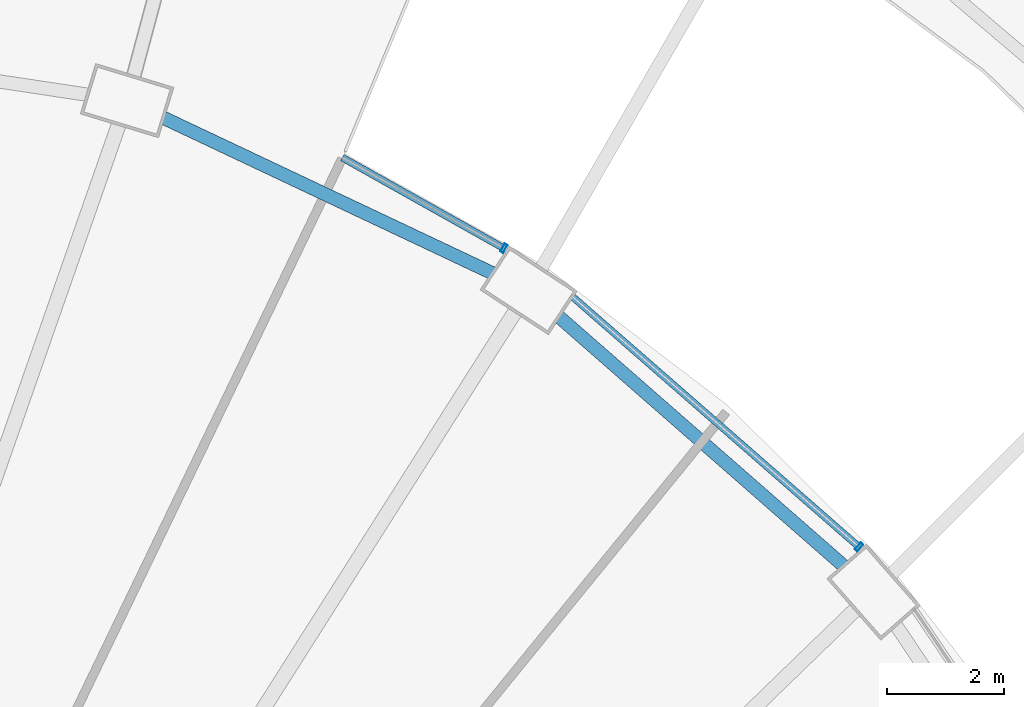
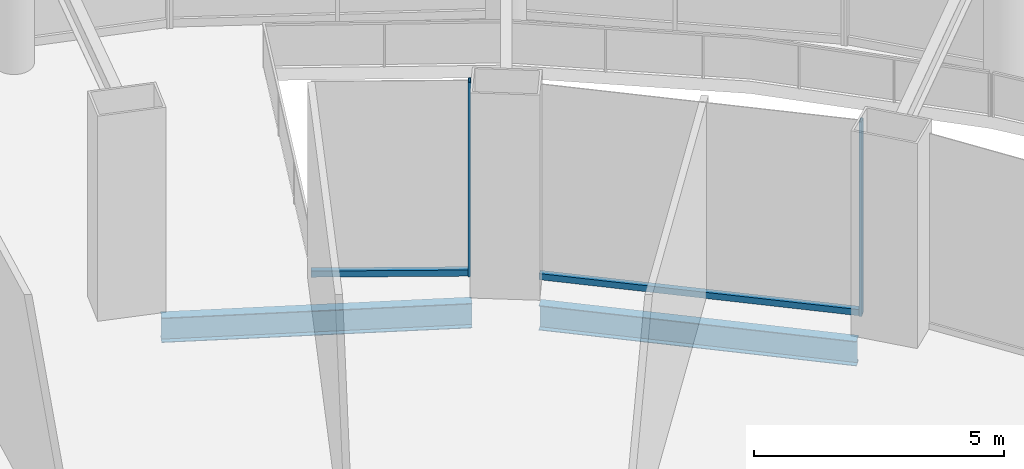
# One storey, part 37 of 52: 4 members, 2 beams, 2 elements without a shape of their own.
"""IFC4 building model written with IfcOpenShell, lengths in metres."""

import ifcopenshell
import ifcopenshell.guid

model = None  # the IFC model being written
_history = None  # IfcOwnerHistory: only IFC2X3 demands one
_inside = {}  # id of a spatial element -> (the spatial element, [elements in it])
_under = {}  # id of a project, library or spatial element -> (it, [spatial elements below it])
_declared = {}  # id of a project -> (the project, [libraries it declares])
_typed = {}  # id of a type object -> (the type object, [elements of that type])
_made_of = {}  # id of a material, layer set ... -> (it, [elements and type objects made of it])


def new_model(schema):
    """Start an empty IFC model of exactly this schema.

    Asked for "IFC4X3", IfcOpenShell would pick the latest addendum, in which some entities
    have other attributes; the version numbers below select the first issue.
    IFC2X3 requires an IfcOwnerHistory on every rooted entity: one is made here for all.
    """
    global model, _history
    if schema == "IFC4X3":
        model = ifcopenshell.file(schema_version=(4, 3, 0, 0))
    else:
        model = ifcopenshell.file(schema=schema)
    _inside.clear()
    _under.clear()
    _declared.clear()
    _typed.clear()
    _made_of.clear()
    _history = None
    if model.schema == "IFC2X3":
        org = make("IfcOrganization", Name="unknown")
        user = make(
            "IfcPersonAndOrganization",
            ThePerson=make("IfcPerson", FamilyName="unknown"),
            TheOrganization=org,
        )
        app = make(
            "IfcApplication",
            ApplicationDeveloper=org,
            Version="unknown",
            ApplicationFullName="unknown",
            ApplicationIdentifier="unknown",
        )
        _history = make(
            "IfcOwnerHistory",
            OwningUser=user,
            OwningApplication=app,
            ChangeAction="ADDED",
            CreationDate=0,
        )
    return model


def make(cls, **values):
    """One entity of the class cls with the attributes given. An attribute that is None is left unset."""
    return model.create_entity(
        cls, **{name: value for name, value in values.items() if value is not None}
    )


def rooted(cls, **values):
    """An entity with a GlobalId (a new one), such as an element, a storey or a relation."""
    return make(cls, GlobalId=ifcopenshell.guid.new(), OwnerHistory=_history, **values)


def si_unit(unit_type, name, prefix=None):
    """IfcSIUnit, for example si_unit("LENGTHUNIT", "METRE", prefix="MILLI")."""
    return make("IfcSIUnit", UnitType=unit_type, Prefix=prefix, Name=name)


def assignment(units):
    """IfcUnitAssignment: the units of a project."""
    return None if units is None else make("IfcUnitAssignment", Units=units)


def point(xyz):
    """IfcCartesianPoint."""
    return None if xyz is None else make("IfcCartesianPoint", Coordinates=xyz)


def direction(xyz):
    """IfcDirection."""
    return None if xyz is None else make("IfcDirection", DirectionRatios=xyz)


def frame(location, z_axis=None, x_axis=None):
    """IfcAxis2Placement3D, a coordinate frame: its origin and axes. An axis left out is left unset."""
    return make(
        "IfcAxis2Placement3D",
        Location=point(location),
        Axis=direction(z_axis),
        RefDirection=direction(x_axis),
    )


def frame_2d(location, x_axis=None):
    """IfcAxis2Placement2D, a coordinate frame in the plane: its origin and x axis."""
    return make(
        "IfcAxis2Placement2D", Location=point(location), RefDirection=direction(x_axis)
    )


def origin():
    """The frame at (0, 0, 0) with its axes left unset."""
    return frame((0.0, 0.0, 0.0))


def origin_2d():
    """The frame at (0, 0) in the plane with its x axis left unset."""
    return frame_2d((0.0, 0.0))


def place(relative_to, where):
    """IfcLocalPlacement: puts the frame where relative to a parent placement (None: the world)."""
    return make(
        "IfcLocalPlacement", PlacementRelTo=relative_to, RelativePlacement=where
    )


def context(
    kind, dimensions, precision=None, world=None, true_north=None, identifier=None
):
    """IfcGeometricRepresentationContext, for example the 3D "Model" context."""
    return make(
        "IfcGeometricRepresentationContext",
        ContextIdentifier=identifier,
        ContextType=kind,
        CoordinateSpaceDimension=dimensions,
        Precision=precision,
        WorldCoordinateSystem=world,
        TrueNorth=true_north,
    )


def subcontext(parent, identifier, kind, view, scale=None):
    """IfcGeometricRepresentationSubContext, for example "Body" below "Model"."""
    return make(
        "IfcGeometricRepresentationSubContext",
        ContextIdentifier=identifier,
        ContextType=kind,
        ParentContext=parent,
        TargetScale=scale,
        TargetView=view,
    )


def project(units=None, contexts=None):
    """IfcProject with its units and contexts."""
    return rooted(
        "IfcProject",
        Name="project",
        RepresentationContexts=contexts,
        UnitsInContext=assignment(units),
    )


def spatial(cls, under=None, at=None, **own):
    """A site, building, storey or space (cls), placed at a placement, below another one or the project."""
    s = rooted(cls, ObjectPlacement=at, **own)
    if under is not None:
        _under.setdefault(under.id(), (under, []))[1].append(s)
    return s


def profile(cls, at=None, kind="AREA", **sizes):
    """A parametric profile (cls). Its sizes go by their IFC names, for example OverallWidth=200.0."""
    return make(cls, ProfileType=kind, Position=at, **sizes)


def hollow_rectangle(**sizes):
    """IfcRectangleHollowProfileDef."""
    return profile("IfcRectangleHollowProfileDef", **sizes)


def i_section(**sizes):
    """IfcIShapeProfileDef."""
    return profile("IfcIShapeProfileDef", **sizes)


def extrude(swept, where, along, depth):
    """IfcExtrudedAreaSolid: the profile swept, set in the frame where, extruded along a direction by depth."""
    return make(
        "IfcExtrudedAreaSolid",
        SweptArea=swept,
        Position=where,
        ExtrudedDirection=direction(along),
        Depth=depth,
    )


def shape(context_of_items, identifier, shape_type, items):
    """IfcShapeRepresentation: the items that make up one representation, for example the "Body"."""
    return make(
        "IfcShapeRepresentation",
        ContextOfItems=context_of_items,
        RepresentationIdentifier=identifier,
        RepresentationType=shape_type,
        Items=items,
    )


def material(Name=None, Category=None):
    """IfcMaterial."""
    return make("IfcMaterial", Name=Name, Category=Category)


def layer(
    of_material, thickness, ventilated=None, Name=None, Category=None, Priority=None
):
    """IfcMaterialLayer: one layer of a wall or slab, of a material (None: an air gap)."""
    return make(
        "IfcMaterialLayer",
        Material=of_material,
        LayerThickness=thickness,
        IsVentilated=ventilated,
        Name=Name,
        Category=Category,
        Priority=Priority,
    )


def layer_set(layers, Name=None):
    """IfcMaterialLayerSet."""
    return make("IfcMaterialLayerSet", MaterialLayers=layers, LayerSetName=Name)


def material_profile(
    of_material, cross_section, Name=None, Category=None, Priority=None
):
    """IfcMaterialProfile: a cross section and its material."""
    return make(
        "IfcMaterialProfile",
        Name=Name,
        Material=of_material,
        Profile=cross_section,
        Priority=Priority,
        Category=Category,
    )


def profile_set(profiles, Name=None, composite=None):
    """IfcMaterialProfileSet."""
    return make(
        "IfcMaterialProfileSet",
        Name=Name,
        MaterialProfiles=profiles,
        CompositeProfile=composite,
    )


def made_of(thing, what):
    """Note that an element or type object is made of a material, layer set ...; save() writes the relation."""
    if what is not None:
        _made_of.setdefault(what.id(), (what, []))[1].append(thing)
    return thing


def type_object(cls, material=None, **own):
    """A type object (cls), such as IfcWallType, which elements share."""
    return made_of(rooted(cls, **own), material)


def element(
    cls,
    number,
    at=None,
    inside=None,
    cuts=None,
    type_object=None,
    material=None,
    context=None,
    identifier="Body",
    shape_type=None,
    held_by="IfcProductDefinitionShape",
    body=None,
    shapes=None,
    **own,
):
    """One element of the class cls, such as IfcWall. Its Tag is "e" and its number.

    at: its placement. inside: the storey or other place that contains it. cuts: it is an
    opening in that element (IfcRelVoidsElement). A single representation is given by context,
    identifier, shape_type and body (its items); several are given by shapes. held_by: the class
    of the entity that holds the representations. save() writes the other relations.
    """
    e = rooted(cls, Tag="e%d" % number, ObjectPlacement=at, **own)
    if body is not None:
        shapes = [shape(context, identifier, shape_type, body)]
    if shapes is not None:
        e.Representation = make(held_by, Representations=shapes)
    if inside is not None:
        _inside.setdefault(inside.id(), (inside, []))[1].append(e)
    if cuts is not None:
        rooted(
            "IfcRelVoidsElement", RelatingBuildingElement=cuts, RelatedOpeningElement=e
        )
    if type_object is not None:
        _typed.setdefault(type_object.id(), (type_object, []))[1].append(e)
    return made_of(e, material)


def aggregate(whole, parts):
    """IfcRelAggregates: a whole, such as a stair, and the parts it consists of."""
    return rooted("IfcRelAggregates", RelatingObject=whole, RelatedObjects=parts)


def save(model, path):
    """Write the relations noted so far, then the file.

    IfcRelAggregates (storeys below a building ...), IfcRelContainedInSpatialStructure (elements
    in a storey), IfcRelDefinesByType, IfcRelAssociatesMaterial and IfcRelDeclares: one each for
    every whole, place, type object, material and project.
    """
    for whole, parts in _under.values():
        aggregate(whole, parts)
    for where, things in _inside.values():
        rooted(
            "IfcRelContainedInSpatialStructure",
            RelatedElements=things,
            RelatingStructure=where,
        )
    for kind, things in _typed.values():
        rooted("IfcRelDefinesByType", RelatedObjects=things, RelatingType=kind)
    for what, things in _made_of.values():
        rooted("IfcRelAssociatesMaterial", RelatedObjects=things, RelatingMaterial=what)
    for by, libraries in _declared.values():
        rooted("IfcRelDeclares", RelatingContext=by, RelatedDefinitions=libraries)
    model.write(path)


model = new_model("IFC4")

# Units and contexts
model_context = context("Model", 3, precision=1e-05, world=origin(), true_north=direction((0.0, 1.0)))
body_context = subcontext(model_context, "Body", "Model", "MODEL_VIEW")
ifc_project = project(units=[si_unit("LENGTHUNIT", "METRE"), si_unit("AREAUNIT", "SQUARE_METRE"), si_unit("VOLUMEUNIT", "CUBIC_METRE"), si_unit("PLANEANGLEUNIT", "RADIAN"), si_unit("MASSUNIT", "GRAM", prefix="KILO")], contexts=[model_context])

# Site, building, storey
site_placement = place(None, origin())
site = spatial("IfcSite", under=ifc_project, at=site_placement, CompositionType="ELEMENT")
building_placement = place(site_placement, origin())
building = spatial("IfcBuilding", under=site, at=building_placement, Name="Nagisa Residences", CompositionType="ELEMENT")
storey_placement = place(building_placement, frame((0.0, 0.0, 22.0)))
storey = spatial("IfcBuildingStorey", under=building, at=storey_placement, Name="L04", CompositionType="ELEMENT", Elevation=22.0)

# Curtain wall, member
ifc_material_1 = material(Name="Stainless steel curtain wall system", Category="steel")
ifc_layer = layer(ifc_material_1, 0.159912109375)
ifc_layer_set = layer_set([ifc_layer], Name="CW6 CURTAIN WALL")
curtain_wall_type = type_object("IfcCurtainWallType", Name="CW6 CURTAIN WALL", PredefinedType="NOTDEFINED", material=ifc_layer_set)
curtain_wall_1_placement = place(storey_placement, origin())
curtain_wall_1 = element("IfcCurtainWall", 1, at=curtain_wall_1_placement, inside=storey, type_object=curtain_wall_type, Name="cw:CW6:L04:06", PredefinedType="NOTDEFINED")
ifc_material_2 = material(Name="Stainless steel", Category="steel")
ifc_material_profile_1 = material_profile(ifc_material_2, hollow_rectangle(XDim=0.159912109375, YDim=0.06005859375, WallThickness=0.006103515625, at=origin_2d()), Name="CW6 MULLION 160x60")
ifc_profile_set_1 = profile_set([ifc_material_profile_1], Name="Stainless steel")
member_type_1 = type_object("IfcMemberType", Name="CW6 MULLION 160x60", PredefinedType="MULLION", material=ifc_profile_set_1)
member_1_placement = place(storey_placement, frame((23.503662109375, 23.75439453125, 0.0), z_axis=(0.0, 0.0, 1.0), x_axis=(-0.657721475708, -0.753261216572, 0.0)))
member_1 = element("IfcMember", 2, at=member_1_placement, type_object=member_type_1, Name="CW6 mullion", PredefinedType="MULLION", context=body_context, shape_type="SweptSolid", body=[
    extrude(hollow_rectangle(XDim=0.159912109375, YDim=0.06005859375, WallThickness=0.006103515625, at=origin_2d()), origin(), (0.0, 0.0, 1.0), 4.739990234375),
])

curtain_wall_2_placement = place(storey_placement, origin())
curtain_wall_2 = element("IfcCurtainWall", 3, at=curtain_wall_2_placement, inside=storey, type_object=curtain_wall_type, Name="cw:CW6:L04:08", PredefinedType="NOTDEFINED")
member_2_placement = place(storey_placement, frame((17.42431640625, 28.8662109375, 0.0), z_axis=(0.0, 0.0, 1.0), x_axis=(-0.489376918501, -0.872072377523, 0.0)))
member_2 = element("IfcMember", 4, at=member_2_placement, type_object=member_type_1, Name="CW6 mullion", PredefinedType="MULLION", context=body_context, shape_type="SweptSolid", body=[
    extrude(hollow_rectangle(XDim=0.159912109375, YDim=0.06005859375, WallThickness=0.006103515625, at=origin_2d()), origin(), (0.0, 0.0, 1.0), 4.739990234375),
])

# Member
ifc_material_3 = material(Name="Stainless steel", Category="steel")
ifc_material_profile_2 = material_profile(ifc_material_3, hollow_rectangle(XDim=0.1201171875, YDim=0.14990234375, WallThickness=0.008056640625, at=origin_2d()), Name="CW6 TRANSOM 120x150")
ifc_profile_set_2 = profile_set([ifc_material_profile_2], Name="Stainless steel")
member_type_2 = type_object("IfcMemberType", Name="CW6 TRANSOM 120x150", PredefinedType="USERDEFINED", material=ifc_profile_set_2)
member_3_placement = place(storey_placement, frame((23.526123046875, 23.734619140625, 0.074951171875), z_axis=(-0.753255020636, 0.657728571591, 0.0), x_axis=(-0.657728571591, -0.753255020636, 0.0)))
member_3 = element("IfcMember", 5, at=member_3_placement, type_object=member_type_2, Name="CW6 transom", ObjectType="TRANSOM", PredefinedType="USERDEFINED", context=body_context, shape_type="SweptSolid", body=[
    extrude(hollow_rectangle(XDim=0.1201171875, YDim=0.14990234375, WallThickness=0.008056640625, at=origin_2d()), origin(), (0.0, 0.0, 1.0), 6.5732421875),
])

aggregate(curtain_wall_1, [member_1, member_3])

member_4_placement = place(storey_placement, frame((17.450439453125, 28.8515625, 0.074951171875), z_axis=(-0.872070011948, 0.489381133946, 0.0), x_axis=(-0.489381133946, -0.872070011948, 0.0)))
member_4 = element("IfcMember", 6, at=member_4_placement, type_object=member_type_2, Name="CW6 transom", ObjectType="TRANSOM", PredefinedType="USERDEFINED", context=body_context, shape_type="SweptSolid", body=[
    extrude(hollow_rectangle(XDim=0.1201171875, YDim=0.14990234375, WallThickness=0.008056640625, at=origin_2d()), origin(), (0.0, 0.0, 1.0), 3.201171875),
])

aggregate(curtain_wall_2, [member_2, member_4])

# Beams
ifc_material_4 = material(Name="Steel ASTM A572 Gr 50", Category="steel")
ifc_material_profile_3 = material_profile(ifc_material_4, i_section(OverallWidth=0.22802734375, OverallDepth=0.60302734375, WebThickness=0.010498046875, FlangeThickness=0.014892578125, at=origin_2d()), Name="W610x101")
ifc_profile_set_3 = profile_set([ifc_material_profile_3], Name="Steel ASTM A572 Gr 50")
beam_type = type_object("IfcBeamType", Name="Perimeter ring beam W610x101", PredefinedType="BEAM", material=ifc_profile_set_3)
beam_1_placement = place(storey_placement, frame((23.236328125, 23.432861328125, -0.6015625), z_axis=(-0.7525907186, 0.658488580217, 0.0), x_axis=(-0.658488580217, -0.7525907186, 0.0)))
element("IfcBeam", 7, at=beam_1_placement, inside=storey, type_object=beam_type, Name="beam:L04:pb04", PredefinedType="BEAM", context=body_context, shape_type="SweptSolid", body=[
    extrude(i_section(OverallWidth=0.22802734375, OverallDepth=0.60302734375, WebThickness=0.010498046875, FlangeThickness=0.014892578125, at=origin_2d()), origin(), (0.0, 0.0, 1.0), 6.470458984375),
])
beam_2_placement = place(storey_placement, frame((17.22900390625, 28.439208984375, -0.6015625), z_axis=(-0.904215426643, 0.427076646774, 0.0), x_axis=(-0.427076646774, -0.904215426643, 0.0)))
element("IfcBeam", 8, at=beam_2_placement, inside=storey, type_object=beam_type, Name="beam:L04:pb05", PredefinedType="BEAM", context=body_context, shape_type="SweptSolid", body=[
    extrude(i_section(OverallWidth=0.22802734375, OverallDepth=0.60302734375, WebThickness=0.010498046875, FlangeThickness=0.014892578125, at=origin_2d()), origin(), (0.0, 0.0, 1.0), 6.2275390625),
])

save(model, "model.ifc")
